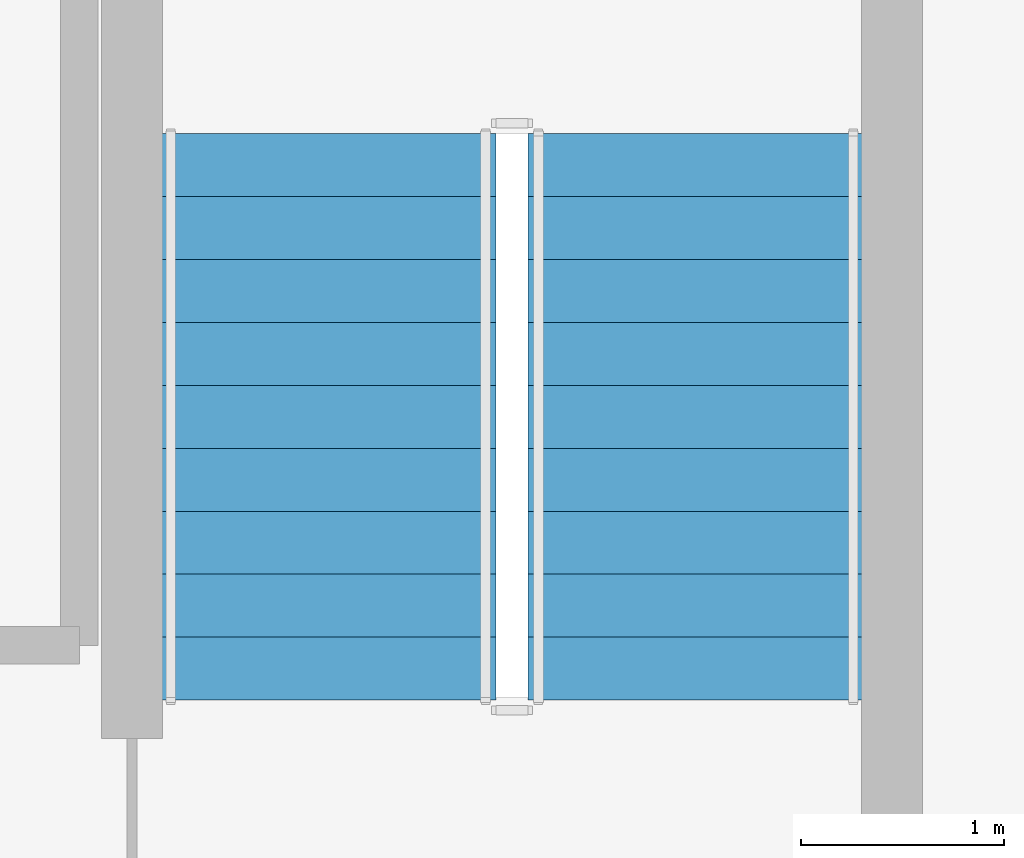
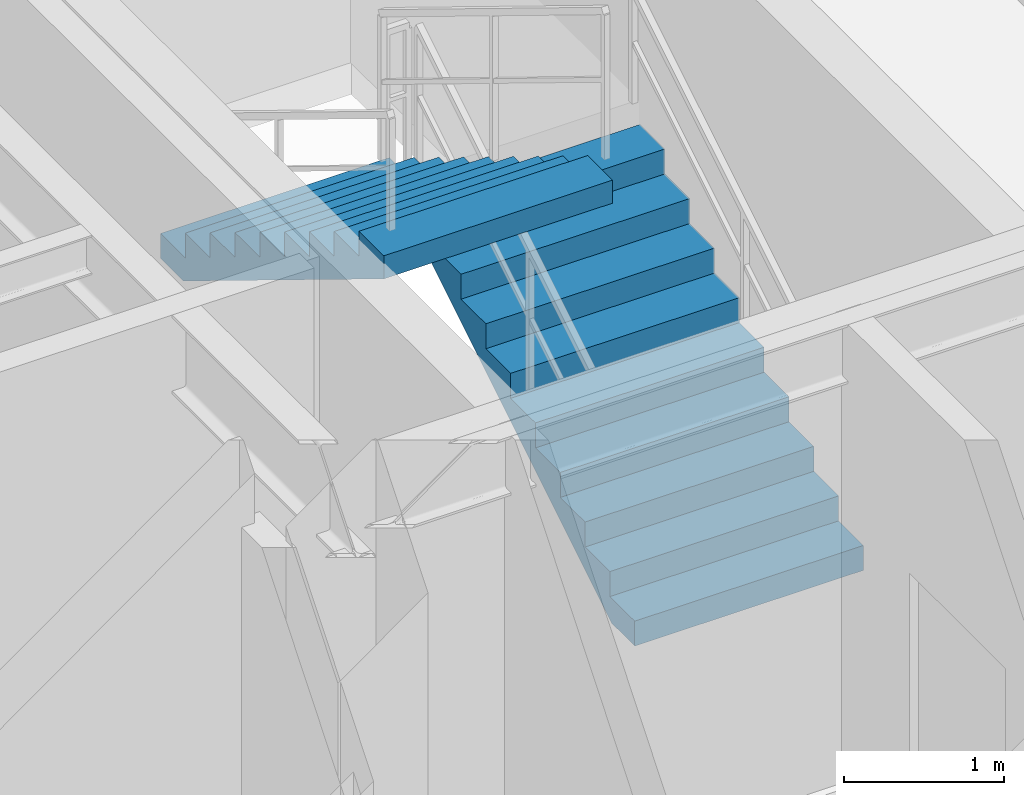
# One storey, part 6 of 9: 2 stair flights, 1 element without a shape of its own.
"""IFC4 building model written with IfcOpenShell, lengths in metres."""

from ifc_helpers import new_model, si_unit, direction, frame, origin, place, context, subcontext, project, spatial, polyline, outline, extrude, material, type_object, element, aggregate, save


model = new_model("IFC4")

# Units and contexts
model_context = context("Model", 3, precision=1e-05, world=origin(), true_north=direction((0.0, 1.0)))
body_context = subcontext(model_context, "Body", "Model", "MODEL_VIEW")
ifc_project = project(units=[si_unit("LENGTHUNIT", "METRE"), si_unit("AREAUNIT", "SQUARE_METRE"), si_unit("VOLUMEUNIT", "CUBIC_METRE"), si_unit("PLANEANGLEUNIT", "RADIAN"), si_unit("MASSUNIT", "GRAM", prefix="KILO")], contexts=[model_context])

# Site, building, storey
site_placement = place(None, origin())
site = spatial("IfcSite", under=ifc_project, at=site_placement, CompositionType="ELEMENT")
building_placement = place(site_placement, origin())
building = spatial("IfcBuilding", under=site, at=building_placement, Name="Kundavana Baori Tower", CompositionType="ELEMENT")
storey_placement = place(building_placement, frame((0.0, 0.0, 342.89990234375)))
storey = spatial("IfcBuildingStorey", under=building, at=storey_placement, Name="L85", CompositionType="ELEMENT", Elevation=342.89990234375)

# Stair, stair flights
ifc_material_1 = material(Name="Concrete C40/50", Category="concrete")
stair_type = type_object("IfcStairType", Name="STR-DOG-1650", PredefinedType="HALF_TURN_STAIR", material=ifc_material_1)
stair_placement = place(storey_placement, origin())
stair = element("IfcStair", 1, at=stair_placement, inside=storey, type_object=stair_type, Name="L85 Protected Exit Stair ST3", PredefinedType="HALF_TURN_STAIR")
ifc_material_2 = material(Name="Concrete C40/50", Category="concrete")
stair_flight_type = type_object("IfcStairFlightType", Name="SFL-RC-1650", PredefinedType="STRAIGHT", material=ifc_material_2)
stair_flight_1_placement = place(storey_placement, frame((37.7548828125, 34.949951171875, 0.0), z_axis=(0.0, 0.0, 1.0), x_axis=(0.0, 1.0, 0.0)))
stair_flight_1 = element("IfcStairFlight", 2, at=stair_flight_1_placement, type_object=stair_flight_type, Name="ST3 flight 1", NumberOfRisers=10, NumberOfTreads=9, PredefinedType="STRAIGHT", RiserHeight=0.19, TreadLength=0.31, context=body_context, shape_type="SweptSolid", body=[
    extrude(outline(polyline([(0.0, 0.0), (0.0, 0.18994140625), (0.31005859375, 0.18994140625), (0.31005859375, 0.3798828125), (0.6201171875, 0.3798828125), (0.6201171875, 0.570068359375), (0.929931640625, 0.570068359375), (0.929931640625, 0.760009765625), (1.239990234375, 0.760009765625), (1.239990234375, 0.949951171875), (1.550048828125, 0.949951171875), (1.550048828125, 1.139892578125), (1.860107421875, 1.139892578125), (1.860107421875, 1.330078125), (2.169921875, 1.330078125), (2.169921875, 1.52001953125), (2.47998046875, 1.52001953125), (2.47998046875, 1.7099609375), (2.7900390625, 1.7099609375), (2.7900390625, 1.89990234375), (2.7900390625, 1.5341796875), (0.286865234375, 0.0), (0.0, 0.0)])), frame((0.0, 0.824951171875, 0.0), z_axis=(0.0, -1.0, 0.0), x_axis=(1.0, 0.0, 0.0)), (0.0, 0.0, 1.0), 1.64990234375),
])
stair_flight_2_placement = place(storey_placement, frame((35.945068359375, 37.739990234375, 1.900146484375), z_axis=(0.0, 0.0, 1.0), x_axis=(0.0, -1.0, 0.0)))
stair_flight_2 = element("IfcStairFlight", 3, at=stair_flight_2_placement, type_object=stair_flight_type, Name="ST3 flight 2", NumberOfRisers=10, NumberOfTreads=9, PredefinedType="STRAIGHT", RiserHeight=0.19, TreadLength=0.31, context=body_context, shape_type="SweptSolid", body=[
    extrude(outline(polyline([(0.0, 0.0), (0.0, 0.18994140625), (0.31005859375, 0.18994140625), (0.31005859375, 0.3798828125), (0.6201171875, 0.3798828125), (0.6201171875, 0.570068359375), (0.929931640625, 0.570068359375), (0.929931640625, 0.760009765625), (1.239990234375, 0.760009765625), (1.239990234375, 0.949951171875), (1.550048828125, 0.949951171875), (1.550048828125, 1.139892578125), (1.860107421875, 1.139892578125), (1.860107421875, 1.330078125), (2.169921875, 1.330078125), (2.169921875, 1.52001953125), (2.47998046875, 1.52001953125), (2.47998046875, 1.7099609375), (2.7900390625, 1.7099609375), (2.7900390625, 1.89990234375), (2.7900390625, 1.5341796875), (0.286865234375, 0.0), (0.0, 0.0)])), frame((0.0, 0.824951171875, 0.0), z_axis=(0.0, -1.0, 0.0), x_axis=(1.0, 0.0, 0.0)), (0.0, 0.0, 1.0), 1.64990234375),
])
aggregate(stair, [stair_flight_1, stair_flight_2])

save(model, "model.ifc")
